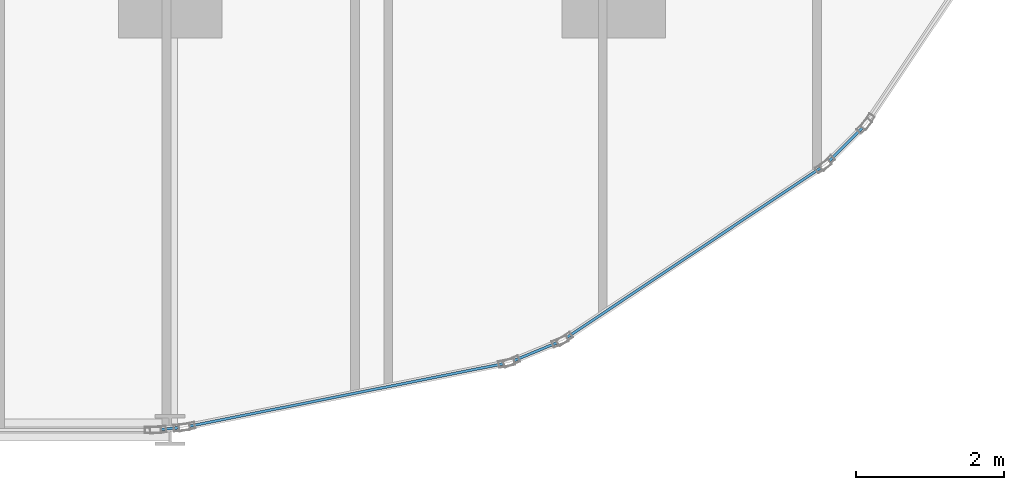
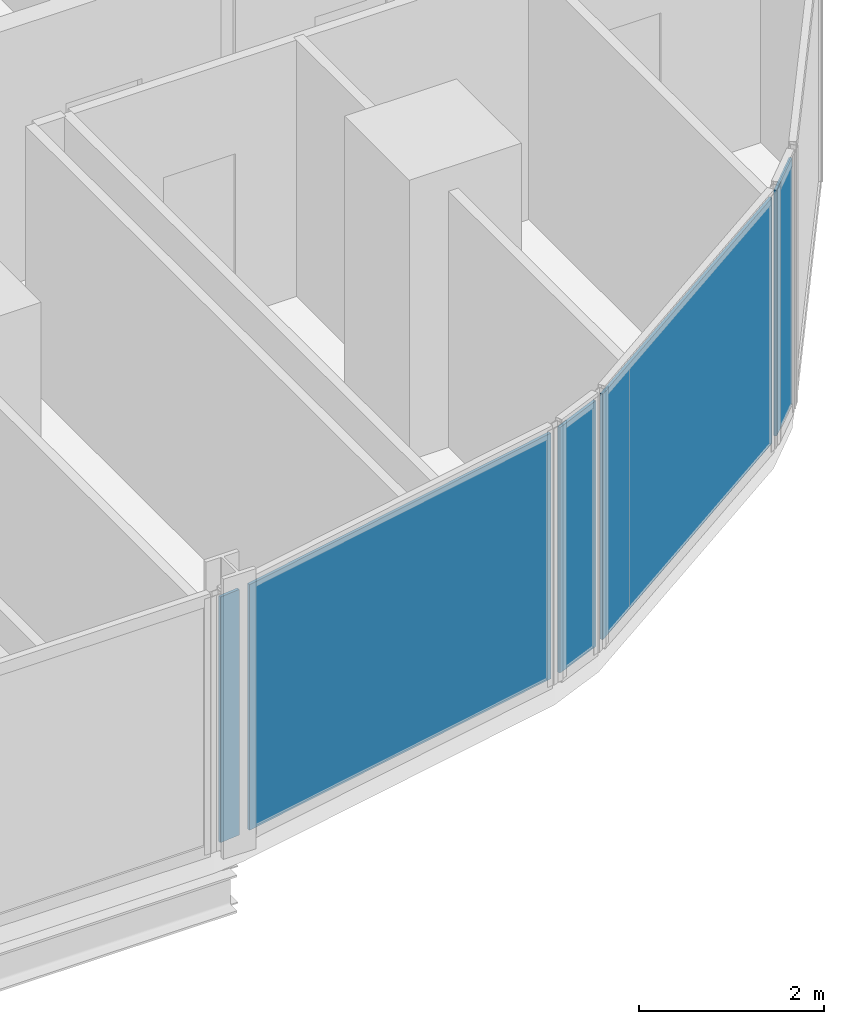
# One storey, part 22 of 33: 5 plates, 5 elements without a shape of their own.
"""IFC4 building model written with IfcOpenShell, lengths in metres."""

import ifcopenshell
import ifcopenshell.guid

model = None  # the IFC model being written
_history = None  # IfcOwnerHistory: only IFC2X3 demands one
_inside = {}  # id of a spatial element -> (the spatial element, [elements in it])
_under = {}  # id of a project, library or spatial element -> (it, [spatial elements below it])
_declared = {}  # id of a project -> (the project, [libraries it declares])
_typed = {}  # id of a type object -> (the type object, [elements of that type])
_made_of = {}  # id of a material, layer set ... -> (it, [elements and type objects made of it])


def new_model(schema):
    """Start an empty IFC model of exactly this schema.

    Asked for "IFC4X3", IfcOpenShell would pick the latest addendum, in which some entities
    have other attributes; the version numbers below select the first issue.
    IFC2X3 requires an IfcOwnerHistory on every rooted entity: one is made here for all.
    """
    global model, _history
    if schema == "IFC4X3":
        model = ifcopenshell.file(schema_version=(4, 3, 0, 0))
    else:
        model = ifcopenshell.file(schema=schema)
    _inside.clear()
    _under.clear()
    _declared.clear()
    _typed.clear()
    _made_of.clear()
    _history = None
    if model.schema == "IFC2X3":
        org = make("IfcOrganization", Name="unknown")
        user = make(
            "IfcPersonAndOrganization",
            ThePerson=make("IfcPerson", FamilyName="unknown"),
            TheOrganization=org,
        )
        app = make(
            "IfcApplication",
            ApplicationDeveloper=org,
            Version="unknown",
            ApplicationFullName="unknown",
            ApplicationIdentifier="unknown",
        )
        _history = make(
            "IfcOwnerHistory",
            OwningUser=user,
            OwningApplication=app,
            ChangeAction="ADDED",
            CreationDate=0,
        )
    return model


def make(cls, **values):
    """One entity of the class cls with the attributes given. An attribute that is None is left unset."""
    return model.create_entity(
        cls, **{name: value for name, value in values.items() if value is not None}
    )


def rooted(cls, **values):
    """An entity with a GlobalId (a new one), such as an element, a storey or a relation."""
    return make(cls, GlobalId=ifcopenshell.guid.new(), OwnerHistory=_history, **values)


def si_unit(unit_type, name, prefix=None):
    """IfcSIUnit, for example si_unit("LENGTHUNIT", "METRE", prefix="MILLI")."""
    return make("IfcSIUnit", UnitType=unit_type, Prefix=prefix, Name=name)


def assignment(units):
    """IfcUnitAssignment: the units of a project."""
    return None if units is None else make("IfcUnitAssignment", Units=units)


def point(xyz):
    """IfcCartesianPoint."""
    return None if xyz is None else make("IfcCartesianPoint", Coordinates=xyz)


def direction(xyz):
    """IfcDirection."""
    return None if xyz is None else make("IfcDirection", DirectionRatios=xyz)


def frame(location, z_axis=None, x_axis=None):
    """IfcAxis2Placement3D, a coordinate frame: its origin and axes. An axis left out is left unset."""
    return make(
        "IfcAxis2Placement3D",
        Location=point(location),
        Axis=direction(z_axis),
        RefDirection=direction(x_axis),
    )


def frame_2d(location, x_axis=None):
    """IfcAxis2Placement2D, a coordinate frame in the plane: its origin and x axis."""
    return make(
        "IfcAxis2Placement2D", Location=point(location), RefDirection=direction(x_axis)
    )


def origin():
    """The frame at (0, 0, 0) with its axes left unset."""
    return frame((0.0, 0.0, 0.0))


def origin_2d():
    """The frame at (0, 0) in the plane with its x axis left unset."""
    return frame_2d((0.0, 0.0))


def place(relative_to, where):
    """IfcLocalPlacement: puts the frame where relative to a parent placement (None: the world)."""
    return make(
        "IfcLocalPlacement", PlacementRelTo=relative_to, RelativePlacement=where
    )


def context(
    kind, dimensions, precision=None, world=None, true_north=None, identifier=None
):
    """IfcGeometricRepresentationContext, for example the 3D "Model" context."""
    return make(
        "IfcGeometricRepresentationContext",
        ContextIdentifier=identifier,
        ContextType=kind,
        CoordinateSpaceDimension=dimensions,
        Precision=precision,
        WorldCoordinateSystem=world,
        TrueNorth=true_north,
    )


def subcontext(parent, identifier, kind, view, scale=None):
    """IfcGeometricRepresentationSubContext, for example "Body" below "Model"."""
    return make(
        "IfcGeometricRepresentationSubContext",
        ContextIdentifier=identifier,
        ContextType=kind,
        ParentContext=parent,
        TargetScale=scale,
        TargetView=view,
    )


def project(units=None, contexts=None):
    """IfcProject with its units and contexts."""
    return rooted(
        "IfcProject",
        Name="project",
        RepresentationContexts=contexts,
        UnitsInContext=assignment(units),
    )


def spatial(cls, under=None, at=None, **own):
    """A site, building, storey or space (cls), placed at a placement, below another one or the project."""
    s = rooted(cls, ObjectPlacement=at, **own)
    if under is not None:
        _under.setdefault(under.id(), (under, []))[1].append(s)
    return s


def profile(cls, at=None, kind="AREA", **sizes):
    """A parametric profile (cls). Its sizes go by their IFC names, for example OverallWidth=200.0."""
    return make(cls, ProfileType=kind, Position=at, **sizes)


def rectangle(**sizes):
    """IfcRectangleProfileDef."""
    return profile("IfcRectangleProfileDef", **sizes)


def extrude(swept, where, along, depth):
    """IfcExtrudedAreaSolid: the profile swept, set in the frame where, extruded along a direction by depth."""
    return make(
        "IfcExtrudedAreaSolid",
        SweptArea=swept,
        Position=where,
        ExtrudedDirection=direction(along),
        Depth=depth,
    )


def shape(context_of_items, identifier, shape_type, items):
    """IfcShapeRepresentation: the items that make up one representation, for example the "Body"."""
    return make(
        "IfcShapeRepresentation",
        ContextOfItems=context_of_items,
        RepresentationIdentifier=identifier,
        RepresentationType=shape_type,
        Items=items,
    )


def material(Name=None, Category=None):
    """IfcMaterial."""
    return make("IfcMaterial", Name=Name, Category=Category)


def layer(
    of_material, thickness, ventilated=None, Name=None, Category=None, Priority=None
):
    """IfcMaterialLayer: one layer of a wall or slab, of a material (None: an air gap)."""
    return make(
        "IfcMaterialLayer",
        Material=of_material,
        LayerThickness=thickness,
        IsVentilated=ventilated,
        Name=Name,
        Category=Category,
        Priority=Priority,
    )


def layer_set(layers, Name=None):
    """IfcMaterialLayerSet."""
    return make("IfcMaterialLayerSet", MaterialLayers=layers, LayerSetName=Name)


def made_of(thing, what):
    """Note that an element or type object is made of a material, layer set ...; save() writes the relation."""
    if what is not None:
        _made_of.setdefault(what.id(), (what, []))[1].append(thing)
    return thing


def type_object(cls, material=None, **own):
    """A type object (cls), such as IfcWallType, which elements share."""
    return made_of(rooted(cls, **own), material)


def element(
    cls,
    number,
    at=None,
    inside=None,
    cuts=None,
    type_object=None,
    material=None,
    context=None,
    identifier="Body",
    shape_type=None,
    held_by="IfcProductDefinitionShape",
    body=None,
    shapes=None,
    **own,
):
    """One element of the class cls, such as IfcWall. Its Tag is "e" and its number.

    at: its placement. inside: the storey or other place that contains it. cuts: it is an
    opening in that element (IfcRelVoidsElement). A single representation is given by context,
    identifier, shape_type and body (its items); several are given by shapes. held_by: the class
    of the entity that holds the representations. save() writes the other relations.
    """
    e = rooted(cls, Tag="e%d" % number, ObjectPlacement=at, **own)
    if body is not None:
        shapes = [shape(context, identifier, shape_type, body)]
    if shapes is not None:
        e.Representation = make(held_by, Representations=shapes)
    if inside is not None:
        _inside.setdefault(inside.id(), (inside, []))[1].append(e)
    if cuts is not None:
        rooted(
            "IfcRelVoidsElement", RelatingBuildingElement=cuts, RelatedOpeningElement=e
        )
    if type_object is not None:
        _typed.setdefault(type_object.id(), (type_object, []))[1].append(e)
    return made_of(e, material)


def aggregate(whole, parts):
    """IfcRelAggregates: a whole, such as a stair, and the parts it consists of."""
    return rooted("IfcRelAggregates", RelatingObject=whole, RelatedObjects=parts)


def save(model, path):
    """Write the relations noted so far, then the file.

    IfcRelAggregates (storeys below a building ...), IfcRelContainedInSpatialStructure (elements
    in a storey), IfcRelDefinesByType, IfcRelAssociatesMaterial and IfcRelDeclares: one each for
    every whole, place, type object, material and project.
    """
    for whole, parts in _under.values():
        aggregate(whole, parts)
    for where, things in _inside.values():
        rooted(
            "IfcRelContainedInSpatialStructure",
            RelatedElements=things,
            RelatingStructure=where,
        )
    for kind, things in _typed.values():
        rooted("IfcRelDefinesByType", RelatedObjects=things, RelatingType=kind)
    for what, things in _made_of.values():
        rooted("IfcRelAssociatesMaterial", RelatedObjects=things, RelatingMaterial=what)
    for by, libraries in _declared.values():
        rooted("IfcRelDeclares", RelatingContext=by, RelatedDefinitions=libraries)
    model.write(path)


model = new_model("IFC4")

# Units and contexts
model_context = context("Model", 3, precision=1e-05, world=origin(), true_north=direction((0.0, 1.0)))
body_context = subcontext(model_context, "Body", "Model", "MODEL_VIEW")
ifc_project = project(units=[si_unit("LENGTHUNIT", "METRE"), si_unit("AREAUNIT", "SQUARE_METRE"), si_unit("VOLUMEUNIT", "CUBIC_METRE"), si_unit("PLANEANGLEUNIT", "RADIAN"), si_unit("MASSUNIT", "GRAM", prefix="KILO")], contexts=[model_context])

# Site, building, storey
site_placement = place(None, origin())
site = spatial("IfcSite", under=ifc_project, at=site_placement, CompositionType="ELEMENT")
building_placement = place(site_placement, origin())
building = spatial("IfcBuilding", under=site, at=building_placement, Name="Keshet Zoharim Tower", CompositionType="ELEMENT")
storey_placement = place(building_placement, frame((0.0, 0.0, 35.10009765625)))
storey = spatial("IfcBuildingStorey", under=building, at=storey_placement, Name="L07", CompositionType="ELEMENT", Elevation=35.10009765625)

# Curtain wall, plate
ifc_material_1 = material(Name="Aluminium 6063-T6", Category="aluminium")
ifc_layer_1 = layer(ifc_material_1, 0.179931640625)
ifc_layer_set_1 = layer_set([ifc_layer_1], Name="Aluminium 6063-T6")
curtain_wall_type = type_object("IfcCurtainWallType", Name="CW-SYS-01", PredefinedType="NOTDEFINED", material=ifc_layer_set_1)
curtain_wall_1_placement = place(storey_placement, origin())
curtain_wall_1 = element("IfcCurtainWall", 1, at=curtain_wall_1_placement, inside=storey, type_object=curtain_wall_type, Name="L07 Unitised Curtain Wall 21", PredefinedType="NOTDEFINED")
ifc_material_2 = material(Name="Insulated Low-E Clear Glass", Category="glass")
ifc_layer_2 = layer(ifc_material_2, 0.035888671875)
ifc_layer_set_2 = layer_set([ifc_layer_2], Name="Insulated Low-E Clear Glass")
plate_type = type_object("IfcPlateType", Name="CWP-01", PredefinedType="CURTAIN_PANEL", material=ifc_layer_set_2)
plate_1_placement = place(storey_placement, frame((66.137451171875, 4.5625, 0.06982421875), z_axis=(0.0, 0.0, 1.0), x_axis=(-0.707106781187, -0.707106781187, 0.0)))
plate_1 = element("IfcPlate", 2, at=plate_1_placement, type_object=plate_type, Name="CW-01 panel 1.1", PredefinedType="CURTAIN_PANEL", context=body_context, shape_type="SweptSolid", body=[
    extrude(rectangle(XDim=0.63916015625, YDim=0.035888671875, at=origin_2d()), origin(), (0.0, 0.0, 1.0), 3.2451171875),
])
aggregate(curtain_wall_1, [plate_1])

curtain_wall_2_placement = place(storey_placement, origin())
curtain_wall_2 = element("IfcCurtainWall", 3, at=curtain_wall_2_placement, inside=storey, type_object=curtain_wall_type, Name="L07 Unitised Curtain Wall 22", PredefinedType="NOTDEFINED")
plate_2_placement = place(storey_placement, frame((64.083984375, 3.09912109375, 0.06982421875), z_axis=(0.0, 0.0, 1.0), x_axis=(-0.831474282335, -0.555563243758, 0.0)))
plate_2 = element("IfcPlate", 4, at=plate_2_placement, type_object=plate_type, Name="CW-01 panel 1.1", PredefinedType="CURTAIN_PANEL", context=body_context, shape_type="SweptSolid", body=[
    extrude(rectangle(XDim=4.13671875, YDim=0.035888671875, at=origin_2d()), origin(), (0.0, 0.0, 1.0), 3.2451171875),
])
aggregate(curtain_wall_2, [plate_2])

curtain_wall_3_placement = place(storey_placement, origin())
curtain_wall_3 = element("IfcCurtainWall", 5, at=curtain_wall_3_placement, inside=storey, type_object=curtain_wall_type, Name="L07 Unitised Curtain Wall 23", PredefinedType="NOTDEFINED")
plate_3_placement = place(storey_placement, frame((61.945556640625, 1.761474609375, 0.06982421875), z_axis=(0.0, 0.0, 1.0), x_axis=(-0.923720000557, -0.383068349739, 0.0)))
plate_3 = element("IfcPlate", 6, at=plate_3_placement, type_object=plate_type, Name="CW-01 panel 1.1", PredefinedType="CURTAIN_PANEL", context=body_context, shape_type="SweptSolid", body=[
    extrude(rectangle(XDim=0.640625, YDim=0.035888671875, at=origin_2d()), origin(), (0.0, 0.0, 1.0), 3.2451171875),
])
aggregate(curtain_wall_3, [plate_3])

curtain_wall_4_placement = place(storey_placement, origin())
curtain_wall_4 = element("IfcCurtainWall", 7, at=curtain_wall_4_placement, inside=storey, type_object=curtain_wall_type, Name="L07 Unitised Curtain Wall 24", PredefinedType="NOTDEFINED")
plate_4_placement = place(storey_placement, frame((59.388916015625, 1.175048828125, 0.06982421875), z_axis=(0.0, 0.0, 1.0), x_axis=(-0.98076917357, -0.195171279072, 0.0)))
plate_4 = element("IfcPlate", 8, at=plate_4_placement, type_object=plate_type, Name="CW-01 panel 1.1", PredefinedType="CURTAIN_PANEL", context=body_context, shape_type="SweptSolid", body=[
    extrude(rectangle(XDim=4.338134765625, YDim=0.035888671875, at=origin_2d()), origin(), (0.0, 0.0, 1.0), 3.2451171875),
])
aggregate(curtain_wall_4, [plate_4])

curtain_wall_5_placement = place(storey_placement, origin())
curtain_wall_5 = element("IfcCurtainWall", 9, at=curtain_wall_5_placement, inside=storey, type_object=curtain_wall_type, Name="L07 Unitised Curtain Wall 25", PredefinedType="NOTDEFINED")
plate_5_placement = place(storey_placement, frame((56.998046875, 0.718994140625, 0.06982421875), z_axis=(0.0, 0.0, 1.0), x_axis=(-0.995286657009, -0.096976648633, 0.0)))
plate_5 = element("IfcPlate", 10, at=plate_5_placement, type_object=plate_type, Name="CW-01 panel 1.1", PredefinedType="CURTAIN_PANEL", context=body_context, shape_type="SweptSolid", body=[
    extrude(rectangle(XDim=0.251953125, YDim=0.035888671875, at=origin_2d()), origin(), (0.0, 0.0, 1.0), 3.2451171875),
])
aggregate(curtain_wall_5, [plate_5])

save(model, "model.ifc")
